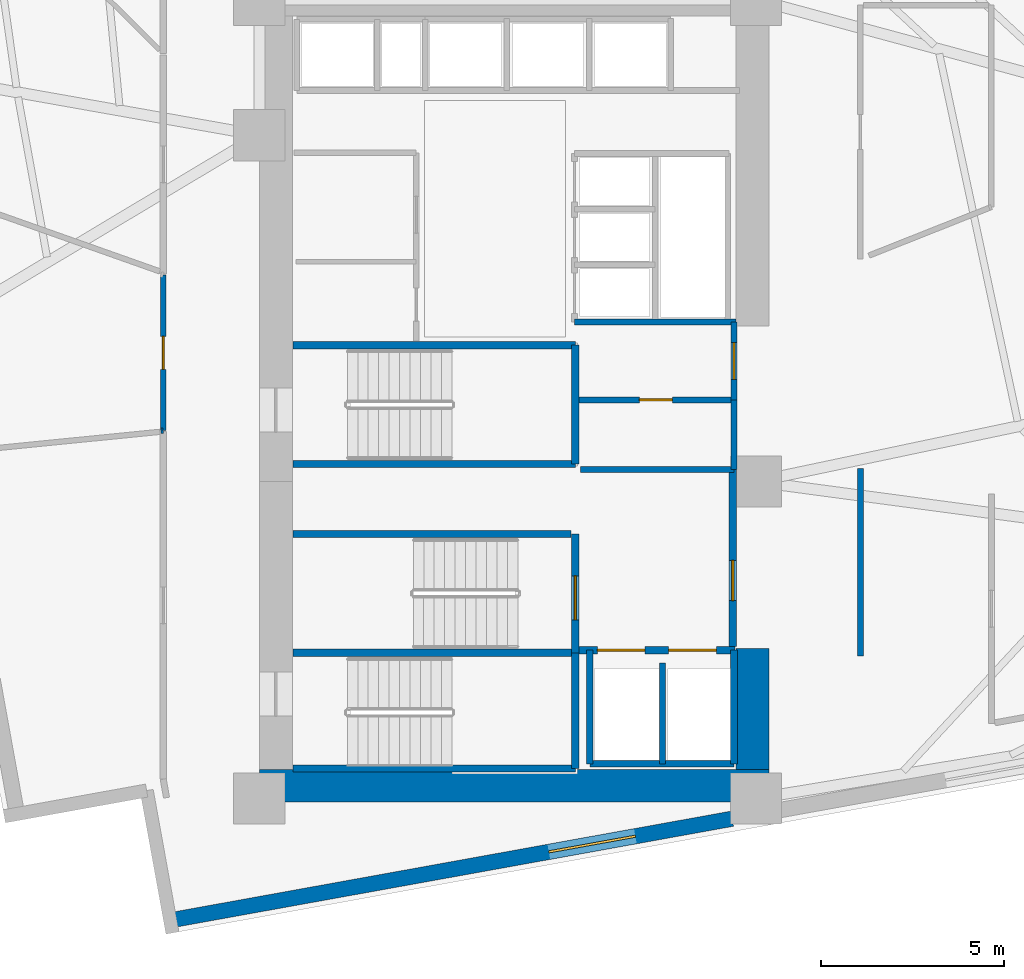
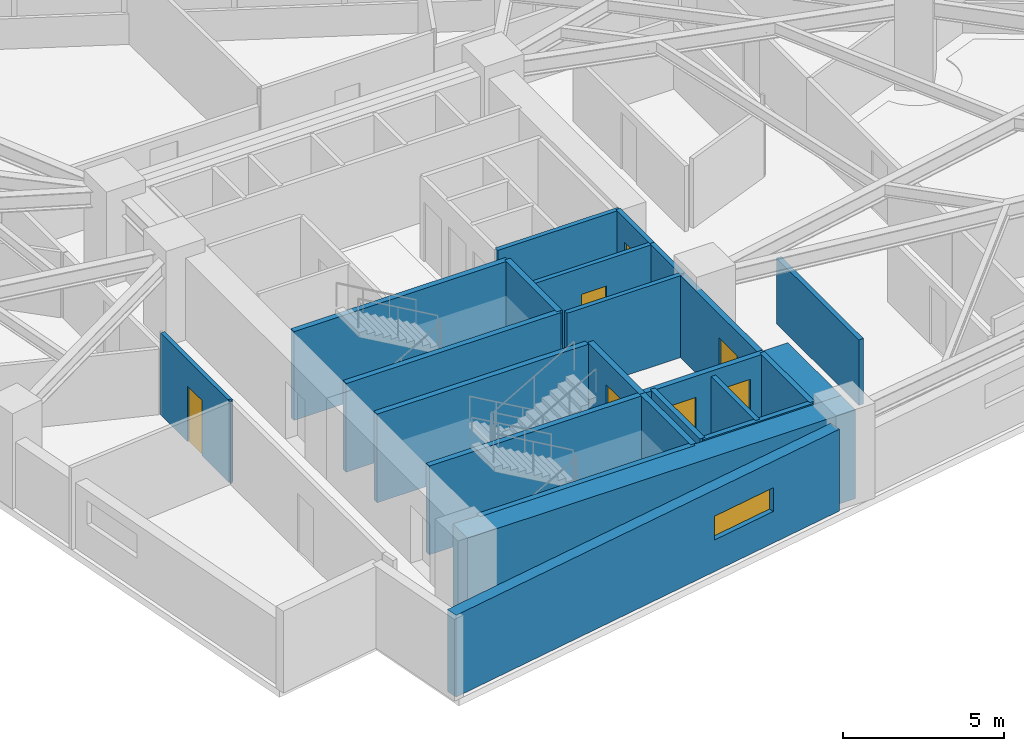
# One storey, part 13 of 20: 25 walls, 7 doors, 1 window, 8 openings.
"""IFC4 building model written with IfcOpenShell, lengths in metres."""

import ifcopenshell
import ifcopenshell.guid

model = None  # the IFC model being written
_history = None  # IfcOwnerHistory: only IFC2X3 demands one
_inside = {}  # id of a spatial element -> (the spatial element, [elements in it])
_under = {}  # id of a project, library or spatial element -> (it, [spatial elements below it])
_declared = {}  # id of a project -> (the project, [libraries it declares])
_typed = {}  # id of a type object -> (the type object, [elements of that type])
_made_of = {}  # id of a material, layer set ... -> (it, [elements and type objects made of it])


def new_model(schema):
    """Start an empty IFC model of exactly this schema.

    Asked for "IFC4X3", IfcOpenShell would pick the latest addendum, in which some entities
    have other attributes; the version numbers below select the first issue.
    IFC2X3 requires an IfcOwnerHistory on every rooted entity: one is made here for all.
    """
    global model, _history
    if schema == "IFC4X3":
        model = ifcopenshell.file(schema_version=(4, 3, 0, 0))
    else:
        model = ifcopenshell.file(schema=schema)
    _inside.clear()
    _under.clear()
    _declared.clear()
    _typed.clear()
    _made_of.clear()
    _history = None
    if model.schema == "IFC2X3":
        org = make("IfcOrganization", Name="unknown")
        user = make(
            "IfcPersonAndOrganization",
            ThePerson=make("IfcPerson", FamilyName="unknown"),
            TheOrganization=org,
        )
        app = make(
            "IfcApplication",
            ApplicationDeveloper=org,
            Version="unknown",
            ApplicationFullName="unknown",
            ApplicationIdentifier="unknown",
        )
        _history = make(
            "IfcOwnerHistory",
            OwningUser=user,
            OwningApplication=app,
            ChangeAction="ADDED",
            CreationDate=0,
        )
    return model


def make(cls, **values):
    """One entity of the class cls with the attributes given. An attribute that is None is left unset."""
    return model.create_entity(
        cls, **{name: value for name, value in values.items() if value is not None}
    )


def rooted(cls, **values):
    """An entity with a GlobalId (a new one), such as an element, a storey or a relation."""
    return make(cls, GlobalId=ifcopenshell.guid.new(), OwnerHistory=_history, **values)


def si_unit(unit_type, name, prefix=None):
    """IfcSIUnit, for example si_unit("LENGTHUNIT", "METRE", prefix="MILLI")."""
    return make("IfcSIUnit", UnitType=unit_type, Prefix=prefix, Name=name)


def assignment(units):
    """IfcUnitAssignment: the units of a project."""
    return None if units is None else make("IfcUnitAssignment", Units=units)


def point(xyz):
    """IfcCartesianPoint."""
    return None if xyz is None else make("IfcCartesianPoint", Coordinates=xyz)


def direction(xyz):
    """IfcDirection."""
    return None if xyz is None else make("IfcDirection", DirectionRatios=xyz)


def frame(location, z_axis=None, x_axis=None):
    """IfcAxis2Placement3D, a coordinate frame: its origin and axes. An axis left out is left unset."""
    return make(
        "IfcAxis2Placement3D",
        Location=point(location),
        Axis=direction(z_axis),
        RefDirection=direction(x_axis),
    )


def frame_2d(location, x_axis=None):
    """IfcAxis2Placement2D, a coordinate frame in the plane: its origin and x axis."""
    return make(
        "IfcAxis2Placement2D", Location=point(location), RefDirection=direction(x_axis)
    )


def origin():
    """The frame at (0, 0, 0) with its axes left unset."""
    return frame((0.0, 0.0, 0.0))


def place(relative_to, where):
    """IfcLocalPlacement: puts the frame where relative to a parent placement (None: the world)."""
    return make(
        "IfcLocalPlacement", PlacementRelTo=relative_to, RelativePlacement=where
    )


def context(
    kind, dimensions, precision=None, world=None, true_north=None, identifier=None
):
    """IfcGeometricRepresentationContext, for example the 3D "Model" context."""
    return make(
        "IfcGeometricRepresentationContext",
        ContextIdentifier=identifier,
        ContextType=kind,
        CoordinateSpaceDimension=dimensions,
        Precision=precision,
        WorldCoordinateSystem=world,
        TrueNorth=true_north,
    )


def subcontext(parent, identifier, kind, view, scale=None):
    """IfcGeometricRepresentationSubContext, for example "Body" below "Model"."""
    return make(
        "IfcGeometricRepresentationSubContext",
        ContextIdentifier=identifier,
        ContextType=kind,
        ParentContext=parent,
        TargetScale=scale,
        TargetView=view,
    )


def project(units=None, contexts=None):
    """IfcProject with its units and contexts."""
    return rooted(
        "IfcProject",
        Name="project",
        RepresentationContexts=contexts,
        UnitsInContext=assignment(units),
    )


def spatial(cls, under=None, at=None, **own):
    """A site, building, storey or space (cls), placed at a placement, below another one or the project."""
    s = rooted(cls, ObjectPlacement=at, **own)
    if under is not None:
        _under.setdefault(under.id(), (under, []))[1].append(s)
    return s


def profile(cls, at=None, kind="AREA", **sizes):
    """A parametric profile (cls). Its sizes go by their IFC names, for example OverallWidth=200.0."""
    return make(cls, ProfileType=kind, Position=at, **sizes)


def rectangle(**sizes):
    """IfcRectangleProfileDef."""
    return profile("IfcRectangleProfileDef", **sizes)


def extrude(swept, where, along, depth):
    """IfcExtrudedAreaSolid: the profile swept, set in the frame where, extruded along a direction by depth."""
    return make(
        "IfcExtrudedAreaSolid",
        SweptArea=swept,
        Position=where,
        ExtrudedDirection=direction(along),
        Depth=depth,
    )


def shape(context_of_items, identifier, shape_type, items):
    """IfcShapeRepresentation: the items that make up one representation, for example the "Body"."""
    return make(
        "IfcShapeRepresentation",
        ContextOfItems=context_of_items,
        RepresentationIdentifier=identifier,
        RepresentationType=shape_type,
        Items=items,
    )


def material(Name=None, Category=None):
    """IfcMaterial."""
    return make("IfcMaterial", Name=Name, Category=Category)


def layer(
    of_material, thickness, ventilated=None, Name=None, Category=None, Priority=None
):
    """IfcMaterialLayer: one layer of a wall or slab, of a material (None: an air gap)."""
    return make(
        "IfcMaterialLayer",
        Material=of_material,
        LayerThickness=thickness,
        IsVentilated=ventilated,
        Name=Name,
        Category=Category,
        Priority=Priority,
    )


def layer_set(layers, Name=None):
    """IfcMaterialLayerSet."""
    return make("IfcMaterialLayerSet", MaterialLayers=layers, LayerSetName=Name)


def made_of(thing, what):
    """Note that an element or type object is made of a material, layer set ...; save() writes the relation."""
    if what is not None:
        _made_of.setdefault(what.id(), (what, []))[1].append(thing)
    return thing


def type_object(cls, material=None, **own):
    """A type object (cls), such as IfcWallType, which elements share."""
    return made_of(rooted(cls, **own), material)


def element(
    cls,
    number,
    at=None,
    inside=None,
    cuts=None,
    type_object=None,
    material=None,
    context=None,
    identifier="Body",
    shape_type=None,
    held_by="IfcProductDefinitionShape",
    body=None,
    shapes=None,
    **own,
):
    """One element of the class cls, such as IfcWall. Its Tag is "e" and its number.

    at: its placement. inside: the storey or other place that contains it. cuts: it is an
    opening in that element (IfcRelVoidsElement). A single representation is given by context,
    identifier, shape_type and body (its items); several are given by shapes. held_by: the class
    of the entity that holds the representations. save() writes the other relations.
    """
    e = rooted(cls, Tag="e%d" % number, ObjectPlacement=at, **own)
    if body is not None:
        shapes = [shape(context, identifier, shape_type, body)]
    if shapes is not None:
        e.Representation = make(held_by, Representations=shapes)
    if inside is not None:
        _inside.setdefault(inside.id(), (inside, []))[1].append(e)
    if cuts is not None:
        rooted(
            "IfcRelVoidsElement", RelatingBuildingElement=cuts, RelatedOpeningElement=e
        )
    if type_object is not None:
        _typed.setdefault(type_object.id(), (type_object, []))[1].append(e)
    return made_of(e, material)


def fill(opening, filler):
    """IfcRelFillsElement: the door or window that sits in an opening."""
    return rooted(
        "IfcRelFillsElement",
        RelatingOpeningElement=opening,
        RelatedBuildingElement=filler,
    )


def aggregate(whole, parts):
    """IfcRelAggregates: a whole, such as a stair, and the parts it consists of."""
    return rooted("IfcRelAggregates", RelatingObject=whole, RelatedObjects=parts)


def save(model, path):
    """Write the relations noted so far, then the file.

    IfcRelAggregates (storeys below a building ...), IfcRelContainedInSpatialStructure (elements
    in a storey), IfcRelDefinesByType, IfcRelAssociatesMaterial and IfcRelDeclares: one each for
    every whole, place, type object, material and project.
    """
    for whole, parts in _under.values():
        aggregate(whole, parts)
    for where, things in _inside.values():
        rooted(
            "IfcRelContainedInSpatialStructure",
            RelatedElements=things,
            RelatingStructure=where,
        )
    for kind, things in _typed.values():
        rooted("IfcRelDefinesByType", RelatedObjects=things, RelatingType=kind)
    for what, things in _made_of.values():
        rooted("IfcRelAssociatesMaterial", RelatedObjects=things, RelatingMaterial=what)
    for by, libraries in _declared.values():
        rooted("IfcRelDeclares", RelatingContext=by, RelatedDefinitions=libraries)
    model.write(path)


model = new_model("IFC4")

# Units and contexts
model_context = context("Model", 3, precision=1e-05, world=origin(), true_north=direction((0.0, 1.0)))
body_context = subcontext(model_context, "Body", "Model", "MODEL_VIEW")
ifc_project = project(units=[si_unit("LENGTHUNIT", "METRE"), si_unit("AREAUNIT", "SQUARE_METRE"), si_unit("VOLUMEUNIT", "CUBIC_METRE"), si_unit("PLANEANGLEUNIT", "RADIAN"), si_unit("MASSUNIT", "GRAM", prefix="KILO")], contexts=[model_context])

# Site, building, storey
site_placement = place(None, origin())
site = spatial("IfcSite", under=ifc_project, at=site_placement, CompositionType="ELEMENT")
building_placement = place(site_placement, origin())
building = spatial("IfcBuilding", under=site, at=building_placement, Name="Narakoshi Arena Tower", CompositionType="ELEMENT")
storey_placement = place(building_placement, frame((0.0, 0.0, 124.5)))
storey = spatial("IfcBuildingStorey", under=building, at=storey_placement, Name="L33", CompositionType="ELEMENT", Elevation=124.5)

# Walls
ifc_material_1 = material(Name="Concrete C60/75", Category="concrete")
ifc_layer_1 = layer(ifc_material_1, 0.89990234375)
ifc_layer_set_1 = layer_set([ifc_layer_1], Name="Concrete C60/75")
wall_type_1 = type_object("IfcWallType", Name="WL-CORE-900", PredefinedType="SHEAR", material=ifc_layer_set_1)
wall_1_placement = place(storey_placement, frame((72.0, 35.050048828125, -0.260009765625), z_axis=(0.0, 0.0, 1.0), x_axis=(1.0, 0.0, 0.0)))
element("IfcWall", 1, at=wall_1_placement, inside=storey, type_object=wall_type_1, Name="L33 Central Core Shear Wall CW-APX-S", PredefinedType="SHEAR", context=body_context, shape_type="SweptSolid", body=[
    extrude(rectangle(XDim=13.89990234375, YDim=0.89990234375, at=frame_2d((6.949951171875, 0.0))), origin(), (0.0, 0.0, 1.0), 3.360107421875),
])
wall_2_placement = place(storey_placement, frame((85.449951171875, 35.5, -0.260009765625), z_axis=(0.0, 0.0, 1.0), x_axis=(0.0, 1.0, 0.0)))
element("IfcWall", 2, at=wall_2_placement, inside=storey, type_object=wall_type_1, Name="L33 Central Core Shear Wall CW-APX-E", PredefinedType="SHEAR", context=body_context, shape_type="SweptSolid", body=[
    extrude(rectangle(XDim=3.300048828125, YDim=0.89990234375, at=frame_2d((1.64990234375, 0.0))), origin(), (0.0, 0.0, 1.0), 3.360107421875),
])

# Wall, opening, door
ifc_material_2 = material(Name="Gypsum plasterboard fire-rated partition")
ifc_layer_2 = layer(ifc_material_2, 0.1650390625)
ifc_layer_set_2 = layer_set([ifc_layer_2], Name="Gypsum plasterboard fire-rated partition")
wall_type_2 = type_object("IfcWallType", Name="WL-CORR-165", PredefinedType="PARTITIONING", material=ifc_layer_set_2)
wall_3_placement = place(storey_placement, frame((84.949951171875, 45.580078125, 0.0), z_axis=(0.0, 0.0, 1.0), x_axis=(0.0, 1.0, 0.0)))
wall_3 = element("IfcWall", 3, at=wall_3_placement, inside=storey, type_object=wall_type_2, Name="L33 Core Wall CPAS-E", PredefinedType="PARTITIONING", context=body_context, shape_type="SweptSolid", body=[
    extrude(rectangle(XDim=2.119873046875, YDim=0.1650390625, at=frame_2d((1.06005859375, 0.0))), origin(), (0.0, 0.0, 1.0), 3.10009765625),
])
opening_1_placement = place(wall_3_placement, frame((0.56005859375, 0.0, 0.0)))
opening_1 = element("IfcOpeningElement", 4, at=opening_1_placement, cuts=wall_3, Name="Opening D-06", PredefinedType="OPENING", context=body_context, shape_type="SweptSolid", body=[
    extrude(rectangle(XDim=1.0, YDim=2.199951171875, at=frame_2d((0.5, 1.10009765625))), frame((0.0, 0.092529296875, 0.0), z_axis=(0.0, -1.0, 0.0), x_axis=(1.0, 0.0, 0.0)), (0.0, 0.0, 1.0), 0.18505859375),
])
ifc_material_3 = material(Name="Stained oak solid-core timber", Category="wood")
door_type_1 = type_object("IfcDoorType", Name="DR-OFF-1000", OperationType="NOTDEFINED", PredefinedType="DOOR", material=ifc_material_3)
door_1_placement = place(opening_1_placement, frame((1.0, 0.0, 0.0), z_axis=(0.0, 0.0, 1.0), x_axis=(-1.0, 0.0, 0.0)))
door_1 = element("IfcDoor", 5, at=door_1_placement, inside=storey, type_object=door_type_1, Name="DR-L33-007", OperationType="SINGLE_SWING_LEFT", OverallHeight=2.199951171875, OverallWidth=1.0, PredefinedType="DOOR", context=body_context, shape_type="SweptSolid", body=[
    extrude(rectangle(XDim=1.0, YDim=2.199951171875, at=frame_2d((0.5, 1.10009765625))), frame((0.0, 0.02490234375, 0.0), z_axis=(0.0, -1.0, 0.0), x_axis=(1.0, 0.0, 0.0)), (0.0, 0.0, 1.0), 0.050048828125),
])
fill(opening_1, door_1)

# Wall
wall_4_placement = place(storey_placement, frame((88.39990234375, 38.587646484375, 0.0), z_axis=(0.0, 0.0, 1.0), x_axis=(0.0, 1.0, 0.0)))
element("IfcWall", 6, at=wall_4_placement, inside=storey, type_object=wall_type_2, Name="L33 Corridor Partition 02-3", PredefinedType="PARTITIONING", context=body_context, shape_type="SweptSolid", body=[
    extrude(rectangle(XDim=5.12060546875, YDim=0.1650390625, at=frame_2d((2.560302734375, 0.0))), origin(), (0.0, 0.0, 1.0), 2.485107421875),
])

# Wall, opening, window
ifc_material_4 = material(Name="Precast concrete C45/55", Category="concrete")
ifc_layer_3 = layer(ifc_material_4, 0.419921875)
ifc_layer_set_3 = layer_set([ifc_layer_3], Name="Precast concrete C45/55")
wall_type_3 = type_object("IfcWallType", Name="WL-POD-420", PredefinedType="SOLIDWALL", material=ifc_layer_set_3)
wall_5_placement = place(storey_placement, frame((69.564697265625, 31.376953125, 0.0), z_axis=(0.0, 0.0, 1.0), x_axis=(0.98404091451, 0.177942346197, 0.0)))
wall_5 = element("IfcWall", 7, at=wall_5_placement, inside=storey, type_object=wall_type_3, Name="L33 Architectural Concrete Facade Wall LEGA-1", PredefinedType="SOLIDWALL", context=body_context, shape_type="SweptSolid", body=[
    extrude(rectangle(XDim=15.58349609375, YDim=0.419921875, at=frame_2d((7.791748046875, 0.0))), origin(), (0.0, 0.0, 1.0), 3.10009765625),
])
opening_2_placement = place(wall_5_placement, frame((10.5, 0.0, 1.199951171875)))
opening_2 = element("IfcOpeningElement", 8, at=opening_2_placement, cuts=wall_5, Name="Opening WN-01", PredefinedType="OPENING", context=body_context, shape_type="SweptSolid", body=[
    extrude(rectangle(XDim=2.39990234375, YDim=0.89990234375, at=frame_2d((1.199951171875, 0.449951171875))), frame((0.0, 0.219970703125, 0.0), z_axis=(0.0, -1.0, 0.0), x_axis=(1.0, 0.0, 0.0)), (0.0, 0.0, 1.0), 0.43994140625),
])
ifc_material_5 = material(Name="Bronze-tinted low-E laminated glass", Category="glass")
window_type = type_object("IfcWindowType", Name="WIN-SLT-24x09", PartitioningType="SINGLE_PANEL", PredefinedType="WINDOW", material=ifc_material_5)
window_placement = place(opening_2_placement, origin())
window = element("IfcWindow", 9, at=window_placement, inside=storey, type_object=window_type, Name="L33 LEGA1 Horizontal Slot Window 1", OverallHeight=0.89990234375, OverallWidth=2.39990234375, PartitioningType="SINGLE_PANEL", PredefinedType="WINDOW", context=body_context, shape_type="SweptSolid", body=[
    extrude(rectangle(XDim=2.39990234375, YDim=0.89990234375, at=frame_2d((1.199951171875, 0.449951171875))), frame((0.0, 0.030029296875, 0.0), z_axis=(0.0, -1.0, 0.0), x_axis=(1.0, 0.0, 0.0)), (0.0, 0.0, 1.0), 0.06005859375),
])
fill(opening_2, window)

# Walls
ifc_material_6 = material(Name="Concrete C40/50", Category="concrete")
ifc_layer_4 = layer(ifc_material_6, 0.280029296875)
ifc_layer_set_4 = layer_set([ifc_layer_4], Name="Concrete C40/50")
wall_type_4 = type_object("IfcWallType", Name="WL-RISER-280", PredefinedType="PLUMBINGWALL", material=ifc_layer_set_4)
wall_6_placement = place(storey_placement, frame((83.0, 35.64990234375, 0.0), z_axis=(0.0, 0.0, 1.0), x_axis=(0.0, 1.0, 0.0)))
element("IfcWall", 10, at=wall_6_placement, inside=storey, type_object=wall_type_4, Name="L33 Core Wall FF-DIV", PredefinedType="PLUMBINGWALL", context=body_context, shape_type="SweptSolid", body=[
    extrude(rectangle(XDim=2.75, YDim=0.159912109375, at=frame_2d((1.375, 0.0))), origin(), (0.0, 0.0, 1.0), 3.10009765625),
])
wall_7_placement = place(storey_placement, frame((84.949951171875, 43.679931640625, 0.0), z_axis=(0.0, 0.0, 1.0), x_axis=(0.0, 1.0, 0.0)))
element("IfcWall", 11, at=wall_7_placement, inside=storey, type_object=wall_type_4, Name="L33 Core Wall RSR-E", PredefinedType="PLUMBINGWALL", context=body_context, shape_type="SweptSolid", body=[
    extrude(rectangle(XDim=1.900146484375, YDim=0.1650390625, at=frame_2d((0.9501953125, 0.0))), origin(), (0.0, 0.0, 1.0), 3.10009765625),
])

# Wall, opening, door
wall_8_placement = place(storey_placement, frame((80.719970703125, 45.580078125, 0.0), z_axis=(0.0, 0.0, 1.0), x_axis=(1.0, 0.0, 0.0)))
wall_8 = element("IfcWall", 12, at=wall_8_placement, inside=storey, type_object=wall_type_4, Name="L33 Core Wall RSR-N", PredefinedType="PLUMBINGWALL", context=body_context, shape_type="SweptSolid", body=[
    extrude(rectangle(XDim=4.22998046875, YDim=0.159912109375, at=frame_2d((2.114990234375, 0.0))), origin(), (0.0, 0.0, 1.0), 3.10009765625),
])
opening_3_placement = place(wall_8_placement, frame((1.64990234375, 0.0, 0.0)))
opening_3 = element("IfcOpeningElement", 13, at=opening_3_placement, cuts=wall_8, Name="Opening D-08", PredefinedType="OPENING", context=body_context, shape_type="SweptSolid", body=[
    extrude(rectangle(XDim=0.89990234375, YDim=2.10009765625, at=frame_2d((0.449951171875, 1.050048828125))), frame((0.0, 0.08984375, 0.0), z_axis=(0.0, -1.0, 0.0), x_axis=(1.0, 0.0, 0.0)), (0.0, 0.0, 1.0), 0.179931640625),
])
ifc_material_7 = material(Name="Moisture-resistant laminate timber", Category="wood")
door_type_2 = type_object("IfcDoorType", Name="DR-WC-900", OperationType="NOTDEFINED", PredefinedType="DOOR", material=ifc_material_7)
door_2_placement = place(opening_3_placement, frame((0.89990234375, 0.0, 0.0), z_axis=(0.0, 0.0, 1.0), x_axis=(-1.0, 0.0, 0.0)))
door_2 = element("IfcDoor", 14, at=door_2_placement, inside=storey, type_object=door_type_2, Name="DR-L33-008", OperationType="SINGLE_SWING_LEFT", OverallHeight=2.10009765625, OverallWidth=0.89990234375, PredefinedType="DOOR", context=body_context, shape_type="SweptSolid", body=[
    extrude(rectangle(XDim=0.89990234375, YDim=2.10009765625, at=frame_2d((0.449951171875, 1.050048828125))), frame((0.0, 0.02490234375, 0.0), z_axis=(0.0, -1.0, 0.0), x_axis=(1.0, 0.0, 0.0)), (0.0, 0.0, 1.0), 0.050048828125),
])
fill(opening_3, door_2)

# Walls
wall_9_placement = place(storey_placement, frame((80.760009765625, 43.679931640625, 0.0), z_axis=(0.0, 0.0, 1.0), x_axis=(1.0, 0.0, 0.0)))
element("IfcWall", 15, at=wall_9_placement, inside=storey, type_object=wall_type_4, Name="L33 Core Wall RSR-S", PredefinedType="PLUMBINGWALL", context=body_context, shape_type="SweptSolid", body=[
    extrude(rectangle(XDim=4.18994140625, YDim=0.159912109375, at=frame_2d((2.094970703125, 0.0))), origin(), (0.0, 0.0, 1.0), 3.10009765625),
])
ifc_material_8 = material(Name="Concrete C50/60", Category="concrete")
ifc_layer_5 = layer(ifc_material_8, 0.35009765625)
ifc_layer_set_5 = layer_set([ifc_layer_5], Name="Concrete C50/60")
wall_type_5 = type_object("IfcWallType", Name="WL-SHAFT-350", PredefinedType="SOLIDWALL", material=ifc_layer_set_5)
for number, where, z_axis, x_axis, name in (
    (16, (72.919921875, 35.52001953125, -0.260009765625), (0.0, 0.0, 1.0), (1.0, 0.0, 0.0), "L33 Core Wall ST1-S"),
    (17, (72.919921875, 38.675048828125, -0.260009765625), (0.0, 0.0, 1.0), (1.0, 0.0, 0.0), "L33 Core Wall ST12-DIV"),
):
    element("IfcWall", number, at=place(storey_placement, frame(where, z_axis=z_axis, x_axis=x_axis)), inside=storey, type_object=wall_type_5, Name=name, PredefinedType="SOLIDWALL", context=body_context, shape_type="SweptSolid", body=[
        extrude(rectangle(XDim=7.7001953125, YDim=0.199951171875, at=frame_2d((3.85009765625, 0.0))), origin(), (0.0, 0.0, 1.0), 3.360107421875),
    ])
wall_10_placement = place(storey_placement, frame((80.6201171875, 35.52001953125, -0.260009765625), z_axis=(0.0, 0.0, 1.0), x_axis=(0.0, 1.0, 0.0)))
element("IfcWall", 18, at=wall_10_placement, inside=storey, type_object=wall_type_5, Name="L33 Core Wall ST1-E", PredefinedType="SOLIDWALL", context=body_context, shape_type="SweptSolid", body=[
    extrude(rectangle(XDim=3.155029296875, YDim=0.199951171875, at=frame_2d((1.57763671875, 0.0))), origin(), (0.0, 0.0, 1.0), 3.360107421875),
])

# Wall, opening, door
wall_11_placement = place(storey_placement, frame((80.6201171875, 38.675048828125, -0.260009765625), z_axis=(0.0, 0.0, 1.0), x_axis=(0.0, 1.0, 0.0)))
wall_11 = element("IfcWall", 19, at=wall_11_placement, inside=storey, type_object=wall_type_5, Name="L33 Core Wall ST2-E", PredefinedType="SOLIDWALL", context=body_context, shape_type="SweptSolid", body=[
    extrude(rectangle(XDim=3.244873046875, YDim=0.199951171875, at=frame_2d((1.62255859375, 0.0))), origin(), (0.0, 0.0, 1.0), 3.360107421875),
])
opening_4_placement = place(wall_11_placement, frame((0.89990234375, 0.0, 0.260009765625)))
opening_4 = element("IfcOpeningElement", 20, at=opening_4_placement, cuts=wall_11, Name="Opening D-03", PredefinedType="OPENING", context=body_context, shape_type="SweptSolid", body=[
    extrude(rectangle(XDim=1.199951171875, YDim=2.199951171875, at=frame_2d((0.60009765625, 1.10009765625))), frame((0.0, 0.10986328125, 0.0), z_axis=(0.0, -1.0, 0.0), x_axis=(1.0, 0.0, 0.0)), (0.0, 0.0, 1.0), 0.219970703125),
])
ifc_material_9 = material(Name="Painted galvanized steel", Category="steel")
door_type_3 = type_object("IfcDoorType", Name="DR-STR-1200", OperationType="NOTDEFINED", PredefinedType="USERDEFINED", material=ifc_material_9)
door_3_placement = place(opening_4_placement, origin())
door_3 = element("IfcDoor", 21, at=door_3_placement, inside=storey, type_object=door_type_3, Name="DR-L33-002", ObjectType="EXITDOOR", OperationType="SINGLE_SWING_RIGHT", OverallHeight=2.199951171875, OverallWidth=1.199951171875, PredefinedType="USERDEFINED", context=body_context, shape_type="SweptSolid", body=[
    extrude(rectangle(XDim=1.199951171875, YDim=2.199951171875, at=frame_2d((0.60009765625, 1.10009765625))), frame((0.0, 0.02490234375, 0.0), z_axis=(0.0, -1.0, 0.0), x_axis=(1.0, 0.0, 0.0)), (0.0, 0.0, 1.0), 0.050048828125),
])
fill(opening_4, door_3)

# Wall, openings, doors
wall_12_placement = place(storey_placement, frame((80.719970703125, 38.75, 0.0), z_axis=(0.0, 0.0, 1.0), x_axis=(1.0, 0.0, 0.0)))
wall_12 = element("IfcWall", 22, at=wall_12_placement, inside=storey, type_object=wall_type_5, Name="L33 Core Wall FF-N", PredefinedType="SOLIDWALL", context=body_context, shape_type="SweptSolid", body=[
    extrude(rectangle(XDim=4.260009765625, YDim=0.199951171875, at=frame_2d((2.1298828125, 0.0))), origin(), (0.0, 0.0, 1.0), 3.10009765625),
])
opening_5_placement = place(wall_12_placement, frame((0.5, 0.0, 0.0)))
opening_5 = element("IfcOpeningElement", 23, at=opening_5_placement, cuts=wall_12, Name="Opening LD-02", PredefinedType="OPENING", context=body_context, shape_type="SweptSolid", body=[
    extrude(rectangle(XDim=1.300048828125, YDim=2.300048828125, at=frame_2d((0.64990234375, 1.14990234375))), frame((0.0, 0.10986328125, 0.0), z_axis=(0.0, -1.0, 0.0), x_axis=(1.0, 0.0, 0.0)), (0.0, 0.0, 1.0), 0.219970703125),
])
opening_6_placement = place(wall_12_placement, frame((2.449951171875, 0.0, 0.0)))
opening_6 = element("IfcOpeningElement", 24, at=opening_6_placement, cuts=wall_12, Name="Opening LD-02", PredefinedType="OPENING", context=body_context, shape_type="SweptSolid", body=[
    extrude(rectangle(XDim=1.300048828125, YDim=2.300048828125, at=frame_2d((0.64990234375, 1.14990234375))), frame((0.0, 0.10986328125, 0.0), z_axis=(0.0, -1.0, 0.0), x_axis=(1.0, 0.0, 0.0)), (0.0, 0.0, 1.0), 0.219970703125),
])
ifc_material_10 = material(Name="Brushed bronze stainless steel", Category="steel")
door_type_4 = type_object("IfcDoorType", Name="DR-LFT-1300", OperationType="DOUBLE_DOOR_SLIDING", PredefinedType="DOOR", material=ifc_material_10)
door_4_placement = place(opening_5_placement, origin())
door_4 = element("IfcDoor", 25, at=door_4_placement, inside=storey, type_object=door_type_4, Name="DR-L33-003", OperationType="DOUBLE_DOOR_SLIDING", OverallHeight=2.300048828125, OverallWidth=1.300048828125, PredefinedType="DOOR", context=body_context, shape_type="SweptSolid", body=[
    extrude(rectangle(XDim=1.300048828125, YDim=2.300048828125, at=frame_2d((0.64990234375, 1.14990234375))), frame((0.0, 0.02490234375, 0.0), z_axis=(0.0, -1.0, 0.0), x_axis=(1.0, 0.0, 0.0)), (0.0, 0.0, 1.0), 0.050048828125),
])
fill(opening_5, door_4)
door_5_placement = place(opening_6_placement, origin())
door_5 = element("IfcDoor", 26, at=door_5_placement, inside=storey, type_object=door_type_4, Name="DR-L33-004", OperationType="DOUBLE_DOOR_SLIDING", OverallHeight=2.300048828125, OverallWidth=1.300048828125, PredefinedType="DOOR", context=body_context, shape_type="SweptSolid", body=[
    extrude(rectangle(XDim=1.300048828125, YDim=2.300048828125, at=frame_2d((0.64990234375, 1.14990234375))), frame((0.0, 0.02490234375, 0.0), z_axis=(0.0, -1.0, 0.0), x_axis=(1.0, 0.0, 0.0)), (0.0, 0.0, 1.0), 0.050048828125),
])
fill(opening_6, door_5)

# Walls
for number, where, z_axis, x_axis, name in (
    (27, (84.949951171875, 35.64990234375, 0.0), (0.0, 0.0, 1.0), (0.0, 1.0, 0.0), "L33 Core Wall FF-E"),
    (28, (81.02001953125, 35.64990234375, 0.0), (0.0, 0.0, 1.0), (0.0, 1.0, 0.0), "L33 Core Wall FF-W"),
):
    element("IfcWall", number, at=place(storey_placement, frame(where, z_axis=z_axis, x_axis=x_axis)), inside=storey, type_object=wall_type_5, Name=name, PredefinedType="SOLIDWALL", context=body_context, shape_type="SweptSolid", body=[
        extrude(rectangle(XDim=3.10009765625, YDim=0.179931640625, at=frame_2d((1.550048828125, 0.0))), origin(), (0.0, 0.0, 1.0), 3.10009765625),
    ])
wall_13_placement = place(storey_placement, frame((81.02001953125, 35.64990234375, 0.0), z_axis=(0.0, 0.0, 1.0), x_axis=(1.0, 0.0, 0.0)))
element("IfcWall", 29, at=wall_13_placement, inside=storey, type_object=wall_type_5, Name="L33 Core Wall FF-S", PredefinedType="SOLIDWALL", context=body_context, shape_type="SweptSolid", body=[
    extrude(rectangle(XDim=3.929931640625, YDim=0.179931640625, at=frame_2d((1.96484375, 0.0))), origin(), (0.0, 0.0, 1.0), 3.10009765625),
])

# Wall, opening, door
wall_14_placement = place(storey_placement, frame((84.919921875, 38.85009765625, 0.0), z_axis=(0.0, 0.0, 1.0), x_axis=(0.0, 1.0, 0.0)))
wall_14 = element("IfcWall", 30, at=wall_14_placement, inside=storey, type_object=wall_type_5, Name="L33 Core Wall FFLOB-E", PredefinedType="SOLIDWALL", context=body_context, shape_type="SweptSolid", body=[
    extrude(rectangle(XDim=4.829833984375, YDim=0.199951171875, at=frame_2d((2.4150390625, 0.0))), origin(), (0.0, 0.0, 1.0), 3.10009765625),
])
opening_7_placement = place(wall_14_placement, frame((1.25, 0.0, 0.0)))
opening_7 = element("IfcOpeningElement", 31, at=opening_7_placement, cuts=wall_14, Name="Opening D-04", PredefinedType="OPENING", context=body_context, shape_type="SweptSolid", body=[
    extrude(rectangle(XDim=1.10009765625, YDim=2.199951171875, at=frame_2d((0.550048828125, 1.10009765625))), frame((0.0, 0.10986328125, 0.0), z_axis=(0.0, -1.0, 0.0), x_axis=(1.0, 0.0, 0.0)), (0.0, 0.0, 1.0), 0.219970703125),
])
door_type_5 = type_object("IfcDoorType", Name="DR-FFL-1100", OperationType="NOTDEFINED", PredefinedType="DOOR", material=ifc_material_9)
door_6_placement = place(opening_7_placement, frame((1.10009765625, 0.0, 0.0), z_axis=(0.0, 0.0, 1.0), x_axis=(-1.0, 0.0, 0.0)))
door_6 = element("IfcDoor", 32, at=door_6_placement, inside=storey, type_object=door_type_5, Name="DR-L33-005", OperationType="SINGLE_SWING_RIGHT", OverallHeight=2.199951171875, OverallWidth=1.10009765625, PredefinedType="DOOR", context=body_context, shape_type="SweptSolid", body=[
    extrude(rectangle(XDim=1.10009765625, YDim=2.199951171875, at=frame_2d((0.550048828125, 1.10009765625))), frame((0.0, 0.02490234375, 0.0), z_axis=(0.0, -1.0, 0.0), x_axis=(1.0, 0.0, 0.0)), (0.0, 0.0, 1.0), 0.050048828125),
])
fill(opening_7, door_6)

# Walls
wall_15_placement = place(storey_placement, frame((72.919921875, 41.919921875, -0.260009765625), z_axis=(0.0, 0.0, 1.0), x_axis=(1.0, 0.0, 0.0)))
element("IfcWall", 33, at=wall_15_placement, inside=storey, type_object=wall_type_5, Name="L33 Core Wall ST2-N", PredefinedType="SOLIDWALL", context=body_context, shape_type="SweptSolid", body=[
    extrude(rectangle(XDim=7.580078125, YDim=0.199951171875, at=frame_2d((3.7900390625, 0.0))), origin(), (0.0, 0.0, 1.0), 3.360107421875),
])
for number, where, z_axis, x_axis, name in (
    (34, (72.919921875, 43.830078125, -0.260009765625), (0.0, 0.0, 1.0), (1.0, 0.0, 0.0), "L33 Core Wall ST3-S"),
    (35, (72.919921875, 47.070068359375, -0.260009765625), (0.0, 0.0, 1.0), (1.0, 0.0, 0.0), "L33 Core Wall ST3-N"),
):
    element("IfcWall", number, at=place(storey_placement, frame(where, z_axis=z_axis, x_axis=x_axis)), inside=storey, type_object=wall_type_5, Name=name, PredefinedType="SOLIDWALL", context=body_context, shape_type="SweptSolid", body=[
        extrude(rectangle(XDim=7.7001953125, YDim=0.199951171875, at=frame_2d((3.85009765625, 0.0))), origin(), (0.0, 0.0, 1.0), 3.360107421875),
    ])
wall_16_placement = place(storey_placement, frame((80.6201171875, 43.830078125, -0.260009765625), z_axis=(0.0, 0.0, 1.0), x_axis=(0.0, 1.0, 0.0)))
element("IfcWall", 36, at=wall_16_placement, inside=storey, type_object=wall_type_5, Name="L33 Core Wall ST3-E", PredefinedType="SOLIDWALL", context=body_context, shape_type="SweptSolid", body=[
    extrude(rectangle(XDim=3.239990234375, YDim=0.199951171875, at=frame_2d((1.6201171875, 0.0))), origin(), (0.0, 0.0, 1.0), 3.360107421875),
])
wall_17_placement = place(storey_placement, frame((80.60009765625, 47.699951171875, 0.0), z_axis=(0.0, 0.0, 1.0), x_axis=(1.0, 0.0, 0.0)))
element("IfcWall", 37, at=wall_17_placement, inside=storey, type_object=wall_type_5, Name="L33 Core Wall MR-S", PredefinedType="SOLIDWALL", context=body_context, shape_type="SweptSolid", body=[
    extrude(rectangle(XDim=4.39990234375, YDim=0.159912109375, at=frame_2d((2.199951171875, 0.0))), origin(), (0.0, 0.0, 1.0), 3.10009765625),
])

# Wall, opening, door
ifc_material_11 = material(Name="Moisture-resistant cement-board partition")
ifc_layer_6 = layer(ifc_material_11, 0.14501953125)
ifc_layer_set_6 = layer_set([ifc_layer_6], Name="Moisture-resistant cement-board partition")
wall_type_6 = type_object("IfcWallType", Name="WL-WET-145", PredefinedType="PARTITIONING", material=ifc_layer_set_6)
wall_18_placement = place(storey_placement, frame((69.376220703125, 48.987548828125, 0.0), z_axis=(0.0, 0.0, 1.0), x_axis=(0.0, -1.0, 0.0)))
wall_18 = element("IfcWall", 38, at=wall_18_placement, inside=storey, type_object=wall_type_6, Name="L33 Corridor Partition 09-1", PredefinedType="PARTITIONING", context=body_context, shape_type="SweptSolid", body=[
    extrude(rectangle(XDim=4.24755859375, YDim=0.14501953125, at=frame_2d((2.123779296875, 0.0))), origin(), (0.0, 0.0, 1.0), 3.10009765625),
])
opening_8_placement = place(wall_18_placement, frame((1.673828125, 0.0, 0.0)))
opening_8 = element("IfcOpeningElement", 39, at=opening_8_placement, cuts=wall_18, Name="Opening D-08", PredefinedType="OPENING", context=body_context, shape_type="SweptSolid", body=[
    extrude(rectangle(XDim=0.89990234375, YDim=2.10009765625, at=frame_2d((0.449951171875, 1.050048828125))), frame((0.0, 0.08251953125, 0.0), z_axis=(0.0, -1.0, 0.0), x_axis=(1.0, 0.0, 0.0)), (0.0, 0.0, 1.0), 0.1650390625),
])
door_7_placement = place(opening_8_placement, frame((0.89990234375, 0.0, 0.0), z_axis=(0.0, 0.0, 1.0), x_axis=(-1.0, 0.0, 0.0)))
door_7 = element("IfcDoor", 40, at=door_7_placement, inside=storey, type_object=door_type_2, Name="DR-L33-022", OperationType="SINGLE_SWING_RIGHT", OverallHeight=2.10009765625, OverallWidth=0.89990234375, PredefinedType="DOOR", context=body_context, shape_type="SweptSolid", body=[
    extrude(rectangle(XDim=0.89990234375, YDim=2.10009765625, at=frame_2d((0.449951171875, 1.050048828125))), frame((0.0, 0.02490234375, 0.0), z_axis=(0.0, -1.0, 0.0), x_axis=(1.0, 0.0, 0.0)), (0.0, 0.0, 1.0), 0.050048828125),
])
fill(opening_8, door_7)

# Wall
wall_19_placement = place(storey_placement, frame((69.376220703125, 44.739990234375, 0.0), z_axis=(0.0, 0.0, 1.0), x_axis=(-0.99602488612, -0.08907539632, 0.0)))
element("IfcWall", 41, at=wall_19_placement, inside=storey, type_object=wall_type_6, Name="L33 Corridor Partition 09-3", PredefinedType="PARTITIONING", context=body_context, shape_type="SweptSolid", body=[
    extrude(rectangle(XDim=0.060302734375, YDim=0.14501953125, at=frame_2d((0.0302734375, 0.0))), origin(), (0.0, 0.0, 1.0), 3.10009765625),
])

save(model, "model.ifc")
